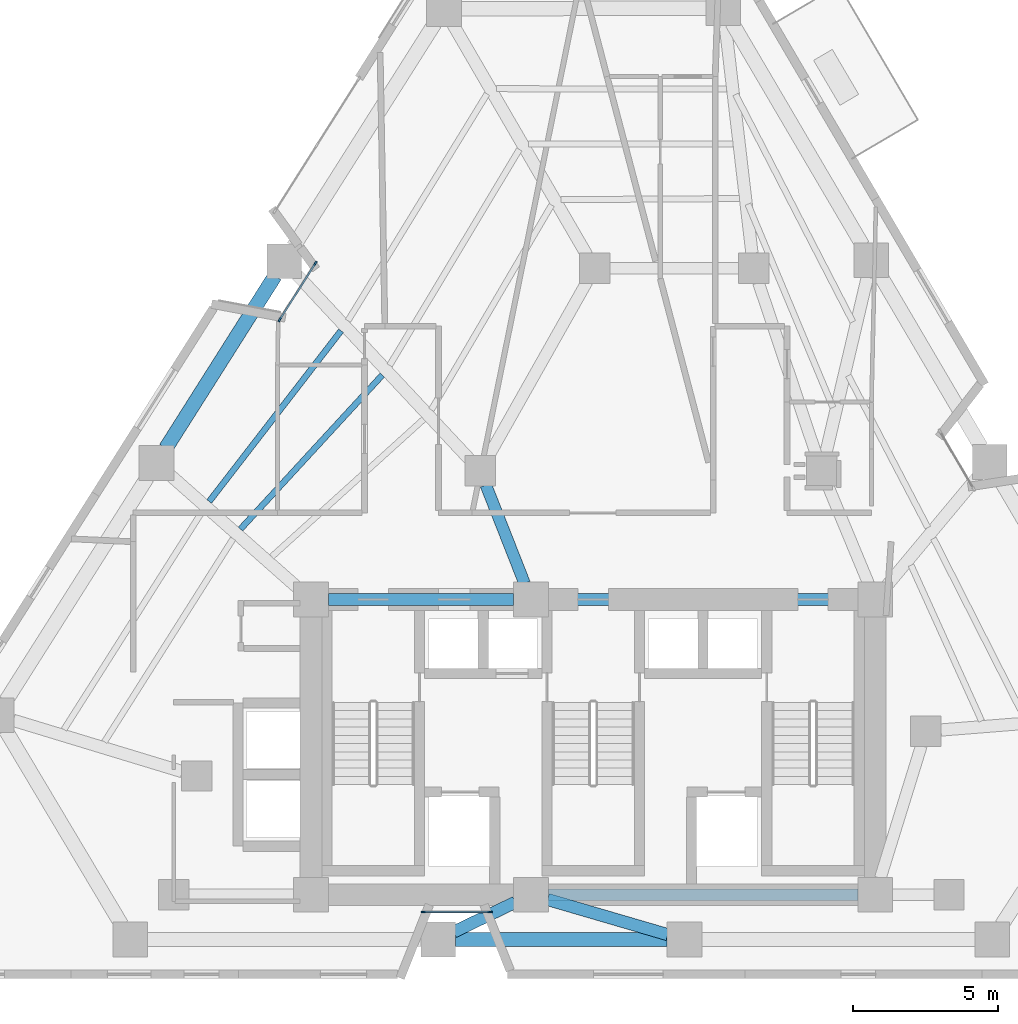
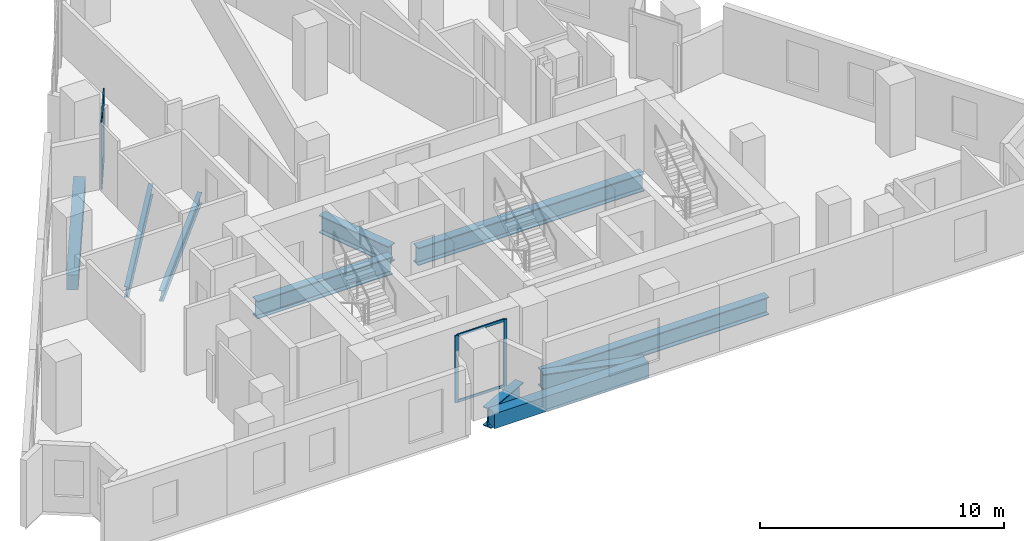
# One storey, part 2 of 11: 10 beams, 8 members, 2 elements without a shape of their own.
"""IFC4 building model written with IfcOpenShell, lengths in metres."""

from ifc_helpers import new_model, si_unit, direction, frame, origin, origin_2d, place, context, subcontext, project, spatial, rectangle, i_section, extrude, material, layer, layer_set, material_profile, profile_set, type_object, element, aggregate, save


model = new_model("IFC4")

# Units and contexts
model_context = context("Model", 3, precision=1e-05, world=origin(), true_north=direction((0.0, 1.0)))
body_context = subcontext(model_context, "Body", "Model", "MODEL_VIEW")
ifc_project = project(units=[si_unit("LENGTHUNIT", "METRE"), si_unit("AREAUNIT", "SQUARE_METRE"), si_unit("VOLUMEUNIT", "CUBIC_METRE"), si_unit("PLANEANGLEUNIT", "RADIAN"), si_unit("MASSUNIT", "GRAM", prefix="KILO")], contexts=[model_context])

# Site, building, storey
site_placement = place(None, origin())
site = spatial("IfcSite", under=ifc_project, at=site_placement, CompositionType="ELEMENT")
building_placement = place(site_placement, origin())
building = spatial("IfcBuilding", under=site, at=building_placement, Name="Almagre Mirador Tower", CompositionType="ELEMENT")
storey_placement = place(building_placement, frame((0.0, 0.0, 124.800048828125)))
storey = spatial("IfcBuildingStorey", under=building, at=storey_placement, Name="L31", CompositionType="ELEMENT", Elevation=124.800048828125)

# Beams
ifc_material_1 = material(Name="Steel ASTM A992 Grade 50", Category="steel")
ifc_material_profile_1 = material_profile(ifc_material_1, i_section(OverallWidth=0.208984375, OverallDepth=0.532958984375, WebThickness=0.01025390625, FlangeThickness=0.015625, FilletRadius=0.01806640625, at=origin_2d()), Name="W21X62")
ifc_profile_set_1 = profile_set([ifc_material_profile_1], Name="Steel ASTM A992 Grade 50")
beam_type_1 = type_object("IfcBeamType", Name="BM-JST-W21X62", PredefinedType="JOIST", material=ifc_profile_set_1)
beam_1_placement = place(storey_placement, frame((28.585205078125, 24.04150390625, -0.5166015625), z_axis=(-0.611154781885, -0.791511107047, 0.0), x_axis=(0.791511107047, -0.611154781885, 0.0)))
element("IfcBeam", 1, at=beam_1_placement, inside=storey, type_object=beam_type_1, Name="L31 secondary floor joist PC10-PC11.1", PredefinedType="JOIST", context=body_context, shape_type="SweptSolid", body=[
    extrude(i_section(OverallWidth=0.208984375, OverallDepth=0.532958984375, WebThickness=0.01025390625, FlangeThickness=0.015625, FilletRadius=0.01806640625, at=origin_2d()), origin(), (0.0, 0.0, 1.0), 7.45458984375),
])
beam_2_placement = place(storey_placement, frame((30.013671875, 22.511474609375, -0.5166015625), z_axis=(-0.677434935898, -0.735582699378, 0.0), x_axis=(0.735582699378, -0.677434935898, 0.0)))
element("IfcBeam", 2, at=beam_2_placement, inside=storey, type_object=beam_type_1, Name="L31 secondary floor joist PC10-PC11.2", PredefinedType="JOIST", context=body_context, shape_type="SweptSolid", body=[
    extrude(i_section(OverallWidth=0.208984375, OverallDepth=0.532958984375, WebThickness=0.01025390625, FlangeThickness=0.015625, FilletRadius=0.01806640625, at=origin_2d()), origin(), (0.0, 0.0, 1.0), 7.238525390625),
])
ifc_material_2 = material(Name="Precast concrete C50/60", Category="concrete")
ifc_material_profile_2 = material_profile(ifc_material_2, rectangle(XDim=0.5, YDim=0.75, at=origin_2d()), Name="RC500X750")
ifc_profile_set_2 = profile_set([ifc_material_profile_2], Name="Precast concrete C50/60")
beam_type_2 = type_object("IfcBeamType", Name="BM-SPN-RC500X750", PredefinedType="SPANDREL", material=ifc_profile_set_2)
beam_3_placement = place(storey_placement, frame((32.5439453125, 3.0, -0.625), z_axis=(1.0, 0.0, 0.0), x_axis=(0.0, 1.0, 0.0)))
element("IfcBeam", 3, at=beam_3_placement, inside=storey, type_object=beam_type_2, Name="L31 perimeter spandrel beam PC02-PC03", PredefinedType="SPANDREL", context=body_context, shape_type="SweptSolid", body=[
    extrude(rectangle(XDim=0.5, YDim=0.75, at=origin_2d()), origin(), (0.0, 0.0, 1.0), 7.31201171875),
])
beam_4_placement = place(storey_placement, frame((26.301025390625, 25.93896484375, -0.625), z_axis=(-0.534879207885, -0.844928537198, 0.0), x_axis=(0.844928537198, -0.534879207885, 0.0)))
element("IfcBeam", 4, at=beam_4_placement, inside=storey, type_object=beam_type_2, Name="L31 perimeter spandrel beam PC10-PC11", PredefinedType="SPANDREL", context=body_context, shape_type="SweptSolid", body=[
    extrude(rectangle(XDim=0.5, YDim=0.75, at=origin_2d()), origin(), (0.0, 0.0, 1.0), 7.05615234375),
])
ifc_material_3 = material(Name="Steel ASTM A992 Grade 50", Category="steel")
ifc_material_profile_3 = material_profile(ifc_material_3, i_section(OverallWidth=0.404052734375, OverallDepth=0.884033203125, WebThickness=0.0244140625, FlangeThickness=0.0439453125, FilletRadius=0.02490234375, at=origin_2d()), Name="W33X291")
ifc_profile_set_3 = profile_set([ifc_material_profile_3], Name="Steel ASTM A992 Grade 50")
beam_type_3 = type_object("IfcBeamType", Name="BM-STL-W33X291", PredefinedType="BEAM", material=ifc_profile_set_3)
beam_5_placement = place(storey_placement, frame((35.75, 4.550048828125, -0.692138671875), z_axis=(1.0, 0.0, 0.0), x_axis=(0.0, 1.0, 0.0)))
element("IfcBeam", 5, at=beam_5_placement, inside=storey, type_object=beam_type_3, Name="L31 core tie girder CC2-CC3", PredefinedType="BEAM", context=body_context, shape_type="SweptSolid", body=[
    extrude(i_section(OverallWidth=0.404052734375, OverallDepth=0.884033203125, WebThickness=0.0244140625, FlangeThickness=0.0439453125, FilletRadius=0.02490234375, at=origin_2d()), origin(), (0.0, 0.0, 1.0), 10.699951171875),
])
beam_6_placement = place(storey_placement, frame((28.14990234375, 14.75, -0.692138671875), z_axis=(1.0, 0.0, 0.0), x_axis=(0.0, 1.0, 0.0)))
element("IfcBeam", 6, at=beam_6_placement, inside=storey, type_object=beam_type_3, Name="L31 core tie girder CC4-CC5", PredefinedType="BEAM", context=body_context, shape_type="SweptSolid", body=[
    extrude(i_section(OverallWidth=0.404052734375, OverallDepth=0.884033203125, WebThickness=0.0244140625, FlangeThickness=0.0439453125, FilletRadius=0.02490234375, at=origin_2d()), origin(), (0.0, 0.0, 1.0), 6.400146484375),
])
beam_7_placement = place(storey_placement, frame((35.75, 14.75, -0.692138671875), z_axis=(1.0, 0.0, 0.0), x_axis=(0.0, 1.0, 0.0)))
element("IfcBeam", 7, at=beam_7_placement, inside=storey, type_object=beam_type_3, Name="L31 core tie girder CC5-CC6", PredefinedType="BEAM", context=body_context, shape_type="SweptSolid", body=[
    extrude(i_section(OverallWidth=0.404052734375, OverallDepth=0.884033203125, WebThickness=0.0244140625, FlangeThickness=0.0439453125, FilletRadius=0.02490234375, at=origin_2d()), origin(), (0.0, 0.0, 1.0), 10.699951171875),
])
beam_8_placement = place(storey_placement, frame((33.592041015625, 18.71142578125, -0.692138671875), z_axis=(0.365997304164, -0.930615910752, 0.0), x_axis=(0.930615910752, 0.365997304164, 0.0)))
element("IfcBeam", 8, at=beam_8_placement, inside=storey, type_object=beam_type_3, Name="L31 core tie girder MC8-CC5", PredefinedType="BEAM", context=body_context, shape_type="SweptSolid", body=[
    extrude(i_section(OverallWidth=0.404052734375, OverallDepth=0.884033203125, WebThickness=0.0244140625, FlangeThickness=0.0439453125, FilletRadius=0.02490234375, at=origin_2d()), origin(), (0.0, 0.0, 1.0), 3.65673828125),
])
ifc_material_4 = material(Name="Steel ASTM A992 Grade 50", Category="steel")
ifc_material_profile_4 = material_profile(ifc_material_4, i_section(OverallWidth=0.423095703125, OverallDepth=0.947998046875, WebThickness=0.02392578125, FlangeThickness=0.042724609375, FilletRadius=0.028076171875, at=origin_2d()), Name="W36X302")
ifc_profile_set_4 = profile_set([ifc_material_profile_4], Name="Steel ASTM A992 Grade 50")
beam_type_4 = type_object("IfcBeamType", Name="BM-STL-W36X302", PredefinedType="BEAM", material=ifc_profile_set_4)
beam_9_placement = place(storey_placement, frame((32.484130859375, 3.26123046875, -0.72412109375), z_axis=(0.900323968092, 0.435220349339, 0.0), x_axis=(-0.435220349339, 0.900323968092, 0.0)))
element("IfcBeam", 9, at=beam_9_placement, inside=storey, type_object=beam_type_4, Name="L31 radial floor girder PC02-CC2", PredefinedType="BEAM", context=body_context, shape_type="SweptSolid", body=[
    extrude(i_section(OverallWidth=0.423095703125, OverallDepth=0.947998046875, WebThickness=0.02392578125, FlangeThickness=0.042724609375, FilletRadius=0.028076171875, at=origin_2d()), origin(), (0.0, 0.0, 1.0), 2.361083984375),
])
beam_10_placement = place(storey_placement, frame((39.880126953125, 3.168212890625, -0.72412109375), z_axis=(-0.959878605081, 0.280415875991, 0.0), x_axis=(-0.280415875991, -0.959878605081, 0.0)))
element("IfcBeam", 10, at=beam_10_placement, inside=storey, type_object=beam_type_4, Name="L31 radial floor girder PC03-CC2", PredefinedType="BEAM", context=body_context, shape_type="SweptSolid", body=[
    extrude(i_section(OverallWidth=0.423095703125, OverallDepth=0.947998046875, WebThickness=0.02392578125, FlangeThickness=0.042724609375, FilletRadius=0.028076171875, at=origin_2d()), origin(), (0.0, 0.0, 1.0), 4.327880859375),
])

# Curtain wall, members
ifc_material_5 = material(Name="Black anodized aluminium", Category="aluminium")
ifc_layer = layer(ifc_material_5, 0.169921875)
ifc_layer_set = layer_set([ifc_layer], Name="Black anodized aluminium")
curtain_wall_type = type_object("IfcCurtainWallType", Name="CW-CRS-SYS", PredefinedType="NOTDEFINED", material=ifc_layer_set)
curtain_wall_1_placement = place(storey_placement, origin())
curtain_wall_1 = element("IfcCurtainWall", 11, at=curtain_wall_1_placement, inside=storey, type_object=curtain_wall_type, Name="L31 vertical crease curtain wall 01", PredefinedType="NOTDEFINED")
ifc_material_6 = material(Name="Black anodized aluminium", Category="aluminium")
ifc_material_profile_5 = material_profile(ifc_material_6, rectangle(XDim=0.06005859375, YDim=0.14990234375, at=origin_2d()), Name="CWM60X150")
ifc_profile_set_5 = profile_set([ifc_material_profile_5], Name="Black anodized aluminium")
member_type_1 = type_object("IfcMemberType", Name="MBR-CWM60X150", PredefinedType="MULLION", material=ifc_profile_set_5)
member_1_placement = place(storey_placement, frame((26.464111328125, 24.421142578125, 0.0), z_axis=(0.0, 0.0, 1.0), x_axis=(-0.844916960589, 0.534897494582, 0.0)))
member_1 = element("IfcMember", 12, at=member_1_placement, type_object=member_type_1, Name="CW-4 mullion 1", PredefinedType="MULLION", context=body_context, shape_type="SweptSolid", body=[
    extrude(rectangle(XDim=0.06005859375, YDim=0.14990234375, at=origin_2d()), origin(), (0.0, 0.0, 1.0), 3.349853515625),
])
member_2_placement = place(storey_placement, frame((27.699951171875, 26.373046875, 0.0), z_axis=(0.0, 0.0, 1.0), x_axis=(-0.844916960589, 0.534897494582, 0.0)))
member_2 = element("IfcMember", 13, at=member_2_placement, type_object=member_type_1, Name="CW-4 mullion 2", PredefinedType="MULLION", context=body_context, shape_type="SweptSolid", body=[
    extrude(rectangle(XDim=0.06005859375, YDim=0.14990234375, at=origin_2d()), origin(), (0.0, 0.0, 1.0), 3.349853515625),
])

curtain_wall_2_placement = place(storey_placement, origin())
curtain_wall_2 = element("IfcCurtainWall", 14, at=curtain_wall_2_placement, inside=storey, type_object=curtain_wall_type, Name="L31 vertical crease curtain wall 04", PredefinedType="NOTDEFINED")
member_3_placement = place(storey_placement, frame((33.739013671875, 3.949951171875, 0.0), z_axis=(0.0, 0.0, 1.0), x_axis=(0.0, -1.0, 0.0)))
member_3 = element("IfcMember", 15, at=member_3_placement, type_object=member_type_1, Name="CW-4 mullion 1", PredefinedType="MULLION", context=body_context, shape_type="SweptSolid", body=[
    extrude(rectangle(XDim=0.06005859375, YDim=0.14990234375, at=origin_2d()), origin(), (0.0, 0.0, 1.0), 3.349853515625),
])
member_4_placement = place(storey_placement, frame((31.428955078125, 3.949951171875, 0.0), z_axis=(0.0, 0.0, 1.0), x_axis=(0.0, -1.0, 0.0)))
member_4 = element("IfcMember", 16, at=member_4_placement, type_object=member_type_1, Name="CW-4 mullion 2", PredefinedType="MULLION", context=body_context, shape_type="SweptSolid", body=[
    extrude(rectangle(XDim=0.06005859375, YDim=0.14990234375, at=origin_2d()), origin(), (0.0, 0.0, 1.0), 3.349853515625),
])

# Member
ifc_material_7 = material(Name="Black anodized aluminium", Category="aluminium")
ifc_material_profile_6 = material_profile(ifc_material_7, rectangle(XDim=0.06005859375, YDim=0.1298828125, at=origin_2d()), Name="CWT60X130")
ifc_profile_set_6 = profile_set([ifc_material_profile_6], Name="Black anodized aluminium")
member_type_2 = type_object("IfcMemberType", Name="MBR-CWT60X130", PredefinedType="USERDEFINED", material=ifc_profile_set_6)
member_5_placement = place(storey_placement, frame((26.480224609375, 24.4462890625, 0.030029296875), z_axis=(0.534866229212, 0.844936753165, 0.0), x_axis=(-0.844936753165, 0.534866229212, 0.0)))
member_5 = element("IfcMember", 17, at=member_5_placement, type_object=member_type_2, Name="CW-4 transom 1.1", ObjectType="TRANSOM", PredefinedType="USERDEFINED", context=body_context, shape_type="SweptSolid", body=[
    extrude(rectangle(XDim=0.06005859375, YDim=0.1298828125, at=origin_2d()), origin(), (0.0, 0.0, 1.0), 2.250244140625),
])

member_6_placement = place(storey_placement, frame((26.480224609375, 24.4462890625, 3.320068359375), z_axis=(0.534866229212, 0.844936753165, 0.0), x_axis=(-0.844936753165, 0.534866229212, 0.0)))
member_6 = element("IfcMember", 18, at=member_6_placement, type_object=member_type_2, Name="CW-4 transom 1.2", ObjectType="TRANSOM", PredefinedType="USERDEFINED", context=body_context, shape_type="SweptSolid", body=[
    extrude(rectangle(XDim=0.06005859375, YDim=0.1298828125, at=origin_2d()), origin(), (0.0, 0.0, 1.0), 2.250244140625),
])

aggregate(curtain_wall_1, [member_1, member_2, member_5, member_6])

member_7_placement = place(storey_placement, frame((33.708984375, 3.949951171875, 0.030029296875), z_axis=(-1.0, 0.0, 0.0), x_axis=(0.0, -1.0, 0.0)))
member_7 = element("IfcMember", 19, at=member_7_placement, type_object=member_type_2, Name="CW-4 transom 1.1", ObjectType="TRANSOM", PredefinedType="USERDEFINED", context=body_context, shape_type="SweptSolid", body=[
    extrude(rectangle(XDim=0.06005859375, YDim=0.1298828125, at=origin_2d()), origin(), (0.0, 0.0, 1.0), 2.25),
])

member_8_placement = place(storey_placement, frame((33.708984375, 3.949951171875, 3.320068359375), z_axis=(-1.0, 0.0, 0.0), x_axis=(0.0, -1.0, 0.0)))
member_8 = element("IfcMember", 20, at=member_8_placement, type_object=member_type_2, Name="CW-4 transom 1.2", ObjectType="TRANSOM", PredefinedType="USERDEFINED", context=body_context, shape_type="SweptSolid", body=[
    extrude(rectangle(XDim=0.06005859375, YDim=0.1298828125, at=origin_2d()), origin(), (0.0, 0.0, 1.0), 2.25),
])

aggregate(curtain_wall_2, [member_3, member_4, member_7, member_8])

save(model, "model.ifc")
